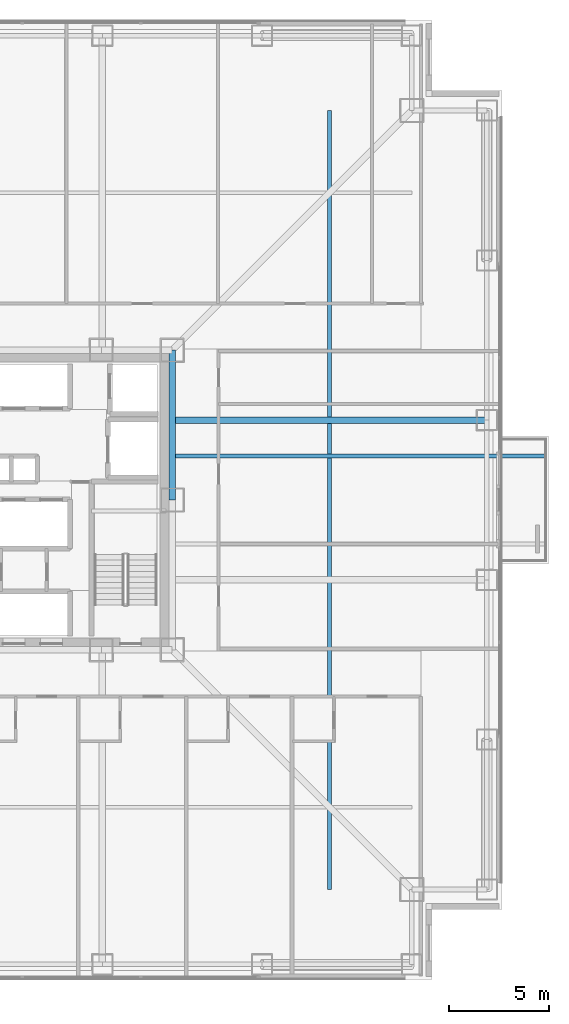
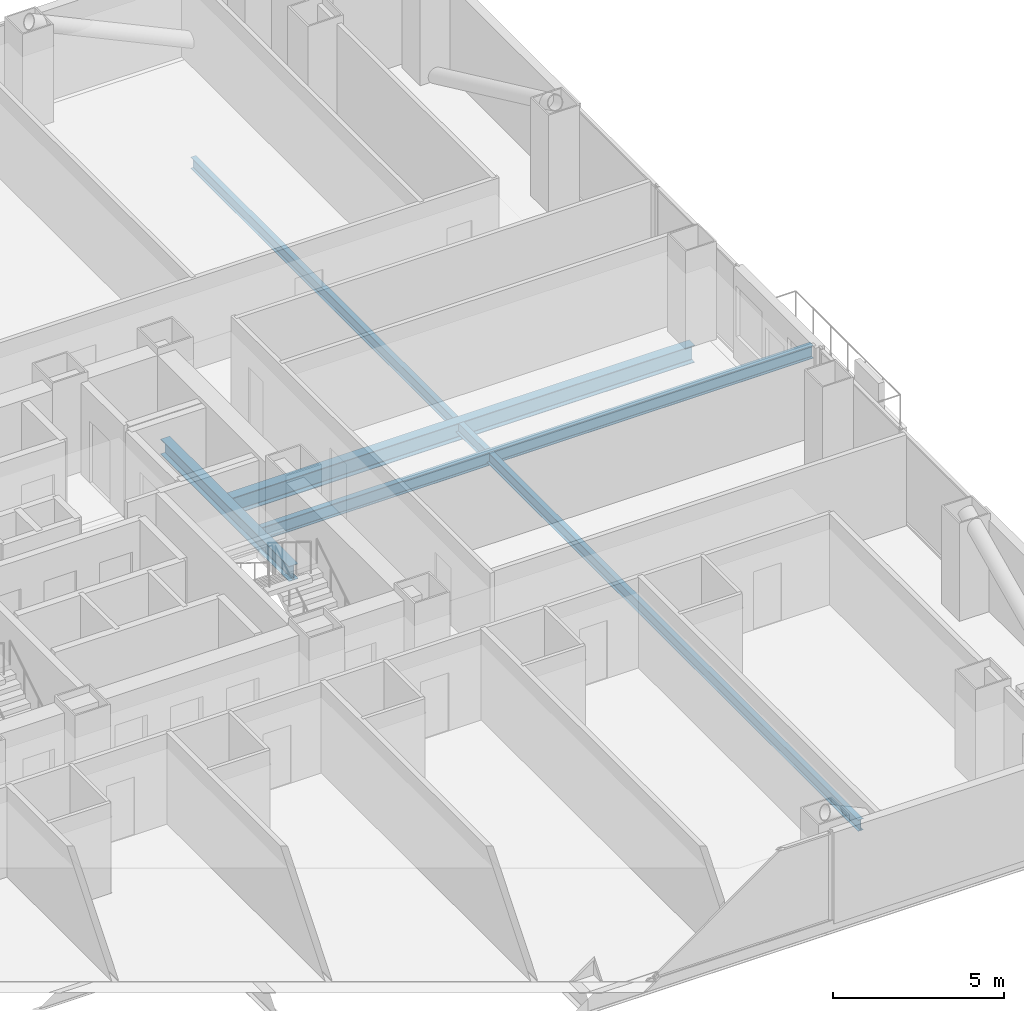
# One storey, part 9 of 20: 4 beams.
"""IFC4 building model written with IfcOpenShell, lengths in metres."""

import ifcopenshell
import ifcopenshell.guid

model = None  # the IFC model being written
_history = None  # IfcOwnerHistory: only IFC2X3 demands one
_inside = {}  # id of a spatial element -> (the spatial element, [elements in it])
_under = {}  # id of a project, library or spatial element -> (it, [spatial elements below it])
_declared = {}  # id of a project -> (the project, [libraries it declares])
_typed = {}  # id of a type object -> (the type object, [elements of that type])
_made_of = {}  # id of a material, layer set ... -> (it, [elements and type objects made of it])


def new_model(schema):
    """Start an empty IFC model of exactly this schema.

    Asked for "IFC4X3", IfcOpenShell would pick the latest addendum, in which some entities
    have other attributes; the version numbers below select the first issue.
    IFC2X3 requires an IfcOwnerHistory on every rooted entity: one is made here for all.
    """
    global model, _history
    if schema == "IFC4X3":
        model = ifcopenshell.file(schema_version=(4, 3, 0, 0))
    else:
        model = ifcopenshell.file(schema=schema)
    _inside.clear()
    _under.clear()
    _declared.clear()
    _typed.clear()
    _made_of.clear()
    _history = None
    if model.schema == "IFC2X3":
        org = make("IfcOrganization", Name="unknown")
        user = make(
            "IfcPersonAndOrganization",
            ThePerson=make("IfcPerson", FamilyName="unknown"),
            TheOrganization=org,
        )
        app = make(
            "IfcApplication",
            ApplicationDeveloper=org,
            Version="unknown",
            ApplicationFullName="unknown",
            ApplicationIdentifier="unknown",
        )
        _history = make(
            "IfcOwnerHistory",
            OwningUser=user,
            OwningApplication=app,
            ChangeAction="ADDED",
            CreationDate=0,
        )
    return model


def make(cls, **values):
    """One entity of the class cls with the attributes given. An attribute that is None is left unset."""
    return model.create_entity(
        cls, **{name: value for name, value in values.items() if value is not None}
    )


def rooted(cls, **values):
    """An entity with a GlobalId (a new one), such as an element, a storey or a relation."""
    return make(cls, GlobalId=ifcopenshell.guid.new(), OwnerHistory=_history, **values)


def si_unit(unit_type, name, prefix=None):
    """IfcSIUnit, for example si_unit("LENGTHUNIT", "METRE", prefix="MILLI")."""
    return make("IfcSIUnit", UnitType=unit_type, Prefix=prefix, Name=name)


def assignment(units):
    """IfcUnitAssignment: the units of a project."""
    return None if units is None else make("IfcUnitAssignment", Units=units)


def point(xyz):
    """IfcCartesianPoint."""
    return None if xyz is None else make("IfcCartesianPoint", Coordinates=xyz)


def direction(xyz):
    """IfcDirection."""
    return None if xyz is None else make("IfcDirection", DirectionRatios=xyz)


def frame(location, z_axis=None, x_axis=None):
    """IfcAxis2Placement3D, a coordinate frame: its origin and axes. An axis left out is left unset."""
    return make(
        "IfcAxis2Placement3D",
        Location=point(location),
        Axis=direction(z_axis),
        RefDirection=direction(x_axis),
    )


def frame_2d(location, x_axis=None):
    """IfcAxis2Placement2D, a coordinate frame in the plane: its origin and x axis."""
    return make(
        "IfcAxis2Placement2D", Location=point(location), RefDirection=direction(x_axis)
    )


def origin():
    """The frame at (0, 0, 0) with its axes left unset."""
    return frame((0.0, 0.0, 0.0))


def origin_2d():
    """The frame at (0, 0) in the plane with its x axis left unset."""
    return frame_2d((0.0, 0.0))


def place(relative_to, where):
    """IfcLocalPlacement: puts the frame where relative to a parent placement (None: the world)."""
    return make(
        "IfcLocalPlacement", PlacementRelTo=relative_to, RelativePlacement=where
    )


def context(
    kind, dimensions, precision=None, world=None, true_north=None, identifier=None
):
    """IfcGeometricRepresentationContext, for example the 3D "Model" context."""
    return make(
        "IfcGeometricRepresentationContext",
        ContextIdentifier=identifier,
        ContextType=kind,
        CoordinateSpaceDimension=dimensions,
        Precision=precision,
        WorldCoordinateSystem=world,
        TrueNorth=true_north,
    )


def subcontext(parent, identifier, kind, view, scale=None):
    """IfcGeometricRepresentationSubContext, for example "Body" below "Model"."""
    return make(
        "IfcGeometricRepresentationSubContext",
        ContextIdentifier=identifier,
        ContextType=kind,
        ParentContext=parent,
        TargetScale=scale,
        TargetView=view,
    )


def project(units=None, contexts=None):
    """IfcProject with its units and contexts."""
    return rooted(
        "IfcProject",
        Name="project",
        RepresentationContexts=contexts,
        UnitsInContext=assignment(units),
    )


def spatial(cls, under=None, at=None, **own):
    """A site, building, storey or space (cls), placed at a placement, below another one or the project."""
    s = rooted(cls, ObjectPlacement=at, **own)
    if under is not None:
        _under.setdefault(under.id(), (under, []))[1].append(s)
    return s


def profile(cls, at=None, kind="AREA", **sizes):
    """A parametric profile (cls). Its sizes go by their IFC names, for example OverallWidth=200.0."""
    return make(cls, ProfileType=kind, Position=at, **sizes)


def i_section(**sizes):
    """IfcIShapeProfileDef."""
    return profile("IfcIShapeProfileDef", **sizes)


def extrude(swept, where, along, depth):
    """IfcExtrudedAreaSolid: the profile swept, set in the frame where, extruded along a direction by depth."""
    return make(
        "IfcExtrudedAreaSolid",
        SweptArea=swept,
        Position=where,
        ExtrudedDirection=direction(along),
        Depth=depth,
    )


def shape(context_of_items, identifier, shape_type, items):
    """IfcShapeRepresentation: the items that make up one representation, for example the "Body"."""
    return make(
        "IfcShapeRepresentation",
        ContextOfItems=context_of_items,
        RepresentationIdentifier=identifier,
        RepresentationType=shape_type,
        Items=items,
    )


def material(Name=None, Category=None):
    """IfcMaterial."""
    return make("IfcMaterial", Name=Name, Category=Category)


def material_profile(
    of_material, cross_section, Name=None, Category=None, Priority=None
):
    """IfcMaterialProfile: a cross section and its material."""
    return make(
        "IfcMaterialProfile",
        Name=Name,
        Material=of_material,
        Profile=cross_section,
        Priority=Priority,
        Category=Category,
    )


def profile_set(profiles, Name=None, composite=None):
    """IfcMaterialProfileSet."""
    return make(
        "IfcMaterialProfileSet",
        Name=Name,
        MaterialProfiles=profiles,
        CompositeProfile=composite,
    )


def made_of(thing, what):
    """Note that an element or type object is made of a material, layer set ...; save() writes the relation."""
    if what is not None:
        _made_of.setdefault(what.id(), (what, []))[1].append(thing)
    return thing


def type_object(cls, material=None, **own):
    """A type object (cls), such as IfcWallType, which elements share."""
    return made_of(rooted(cls, **own), material)


def element(
    cls,
    number,
    at=None,
    inside=None,
    cuts=None,
    type_object=None,
    material=None,
    context=None,
    identifier="Body",
    shape_type=None,
    held_by="IfcProductDefinitionShape",
    body=None,
    shapes=None,
    **own,
):
    """One element of the class cls, such as IfcWall. Its Tag is "e" and its number.

    at: its placement. inside: the storey or other place that contains it. cuts: it is an
    opening in that element (IfcRelVoidsElement). A single representation is given by context,
    identifier, shape_type and body (its items); several are given by shapes. held_by: the class
    of the entity that holds the representations. save() writes the other relations.
    """
    e = rooted(cls, Tag="e%d" % number, ObjectPlacement=at, **own)
    if body is not None:
        shapes = [shape(context, identifier, shape_type, body)]
    if shapes is not None:
        e.Representation = make(held_by, Representations=shapes)
    if inside is not None:
        _inside.setdefault(inside.id(), (inside, []))[1].append(e)
    if cuts is not None:
        rooted(
            "IfcRelVoidsElement", RelatingBuildingElement=cuts, RelatedOpeningElement=e
        )
    if type_object is not None:
        _typed.setdefault(type_object.id(), (type_object, []))[1].append(e)
    return made_of(e, material)


def aggregate(whole, parts):
    """IfcRelAggregates: a whole, such as a stair, and the parts it consists of."""
    return rooted("IfcRelAggregates", RelatingObject=whole, RelatedObjects=parts)


def save(model, path):
    """Write the relations noted so far, then the file.

    IfcRelAggregates (storeys below a building ...), IfcRelContainedInSpatialStructure (elements
    in a storey), IfcRelDefinesByType, IfcRelAssociatesMaterial and IfcRelDeclares: one each for
    every whole, place, type object, material and project.
    """
    for whole, parts in _under.values():
        aggregate(whole, parts)
    for where, things in _inside.values():
        rooted(
            "IfcRelContainedInSpatialStructure",
            RelatedElements=things,
            RelatingStructure=where,
        )
    for kind, things in _typed.values():
        rooted("IfcRelDefinesByType", RelatedObjects=things, RelatingType=kind)
    for what, things in _made_of.values():
        rooted("IfcRelAssociatesMaterial", RelatedObjects=things, RelatingMaterial=what)
    for by, libraries in _declared.values():
        rooted("IfcRelDeclares", RelatingContext=by, RelatedDefinitions=libraries)
    model.write(path)


model = new_model("IFC4")

# Units and contexts
model_context = context("Model", 3, precision=1e-05, world=origin(), true_north=direction((0.0, 1.0)))
body_context = subcontext(model_context, "Body", "Model", "MODEL_VIEW")
ifc_project = project(units=[si_unit("LENGTHUNIT", "METRE"), si_unit("AREAUNIT", "SQUARE_METRE"), si_unit("VOLUMEUNIT", "CUBIC_METRE"), si_unit("PLANEANGLEUNIT", "RADIAN"), si_unit("MASSUNIT", "GRAM", prefix="KILO")], contexts=[model_context])

# Site, building, storey
site_placement = place(None, origin())
site = spatial("IfcSite", under=ifc_project, at=site_placement, CompositionType="ELEMENT")
building_placement = place(site_placement, origin())
building = spatial("IfcBuilding", under=site, at=building_placement, Name="Trevonay Congress Spire", CompositionType="ELEMENT")
storey_placement = place(building_placement, frame((0.0, 0.0, 76.0)))
storey = spatial("IfcBuildingStorey", under=building, at=storey_placement, Name="L19", CompositionType="ELEMENT", Elevation=76.0)

# Beams
ifc_material = material(Name="Steel ASTM A572 Grade 50", Category="steel")
ifc_material_profile_1 = material_profile(ifc_material, i_section(OverallWidth=0.194091796875, OverallDepth=0.468994140625, WebThickness=0.011474609375, FlangeThickness=0.01953125, FilletRadius=0.013916015625, at=origin_2d()), Name="W460x106")
ifc_profile_set_1 = profile_set([ifc_material_profile_1], Name="Steel ASTM A572 Grade 50")
beam_type_1 = type_object("IfcBeamType", Name="BM-BAL-LOOKOUT", PredefinedType="BEAM", material=ifc_profile_set_1)
beam_1_placement = place(storey_placement, frame((7.5, 2.199951171875, -0.484619140625), z_axis=(1.0, 0.0, 0.0), x_axis=(0.0, 1.0, 0.0)))
element("IfcBeam", 1, at=beam_1_placement, inside=storey, type_object=beam_type_1, Name="L19 structural beam LKT-L19-E2", PredefinedType="BEAM", context=body_context, shape_type="SweptSolid", body=[
    extrude(i_section(OverallWidth=0.194091796875, OverallDepth=0.468994140625, WebThickness=0.011474609375, FlangeThickness=0.01953125, FilletRadius=0.013916015625, at=origin_2d()), origin(), (0.0, 0.0, 1.0), 18.75),
])
ifc_material_profile_2 = material_profile(ifc_material, i_section(OverallWidth=0.31201171875, OverallDepth=0.54296875, WebThickness=0.0126953125, FlangeThickness=0.020263671875, FilletRadius=0.014892578125, at=origin_2d()), Name="W530x150")
ifc_profile_set_2 = profile_set([ifc_material_profile_2], Name="Steel ASTM A572 Grade 50")
beam_type_2 = type_object("IfcBeamType", Name="BM-GIRD-W530X150", PredefinedType="BEAM", material=ifc_profile_set_2)
beam_2_placement = place(storey_placement, frame((7.5, 0.0, -0.521484375), z_axis=(0.0, 1.0, 0.0), x_axis=(-1.0, 0.0, 0.0)))
element("IfcBeam", 2, at=beam_2_placement, inside=storey, type_object=beam_type_2, Name="L19 structural beam BM-L19-CR-E2", PredefinedType="BEAM", context=body_context, shape_type="SweptSolid", body=[
    extrude(i_section(OverallWidth=0.31201171875, OverallDepth=0.54296875, WebThickness=0.0126953125, FlangeThickness=0.020263671875, FilletRadius=0.014892578125, at=origin_2d()), origin(), (0.0, 0.0, 1.0), 7.5),
])
ifc_material_profile_3 = material_profile(ifc_material, i_section(OverallWidth=0.324951171875, OverallDepth=0.615966796875, WebThickness=0.013916015625, FlangeThickness=0.021484375, FilletRadius=0.01806640625, at=origin_2d()), Name="W610x174")
ifc_profile_set_3 = profile_set([ifc_material_profile_3], Name="Steel ASTM A572 Grade 50")
beam_type_3 = type_object("IfcBeamType", Name="BM-GIRD-W610X174", PredefinedType="BEAM", material=ifc_profile_set_3)
beam_3_placement = place(storey_placement, frame((7.5, 4.0, -0.55810546875), z_axis=(1.0, 0.0, 0.0), x_axis=(0.0, 1.0, 0.0)))
element("IfcBeam", 3, at=beam_3_placement, inside=storey, type_object=beam_type_3, Name="L19 structural beam BM-L19-GE-P", PredefinedType="BEAM", context=body_context, shape_type="SweptSolid", body=[
    extrude(i_section(OverallWidth=0.324951171875, OverallDepth=0.615966796875, WebThickness=0.013916015625, FlangeThickness=0.021484375, FilletRadius=0.01806640625, at=origin_2d()), origin(), (0.0, 0.0, 1.0), 15.75),
])
ifc_material_profile_4 = material_profile(ifc_material, i_section(OverallWidth=0.177978515625, OverallDepth=0.406982421875, WebThickness=0.0078125, FlangeThickness=0.0126953125, FilletRadius=0.012939453125, at=origin_2d()), Name="W410x60")
ifc_profile_set_4 = profile_set([ifc_material_profile_4], Name="Steel ASTM A572 Grade 50")
beam_type_4 = type_object("IfcBeamType", Name="JS-COMP-W410X60", PredefinedType="JOIST", material=ifc_profile_set_4)
beam_4_placement = place(storey_placement, frame((15.375, -19.5, -0.45361328125), z_axis=(0.0, 1.0, 0.0), x_axis=(-1.0, 0.0, 0.0)))
element("IfcBeam", 4, at=beam_4_placement, inside=storey, type_object=beam_type_4, Name="L19 structural beam JS-L19-RING-E", PredefinedType="JOIST", context=body_context, shape_type="SweptSolid", body=[
    extrude(i_section(OverallWidth=0.177978515625, OverallDepth=0.406982421875, WebThickness=0.0078125, FlangeThickness=0.0126953125, FilletRadius=0.012939453125, at=origin_2d()), origin(), (0.0, 0.0, 1.0), 39.0),
])

save(model, "model.ifc")
